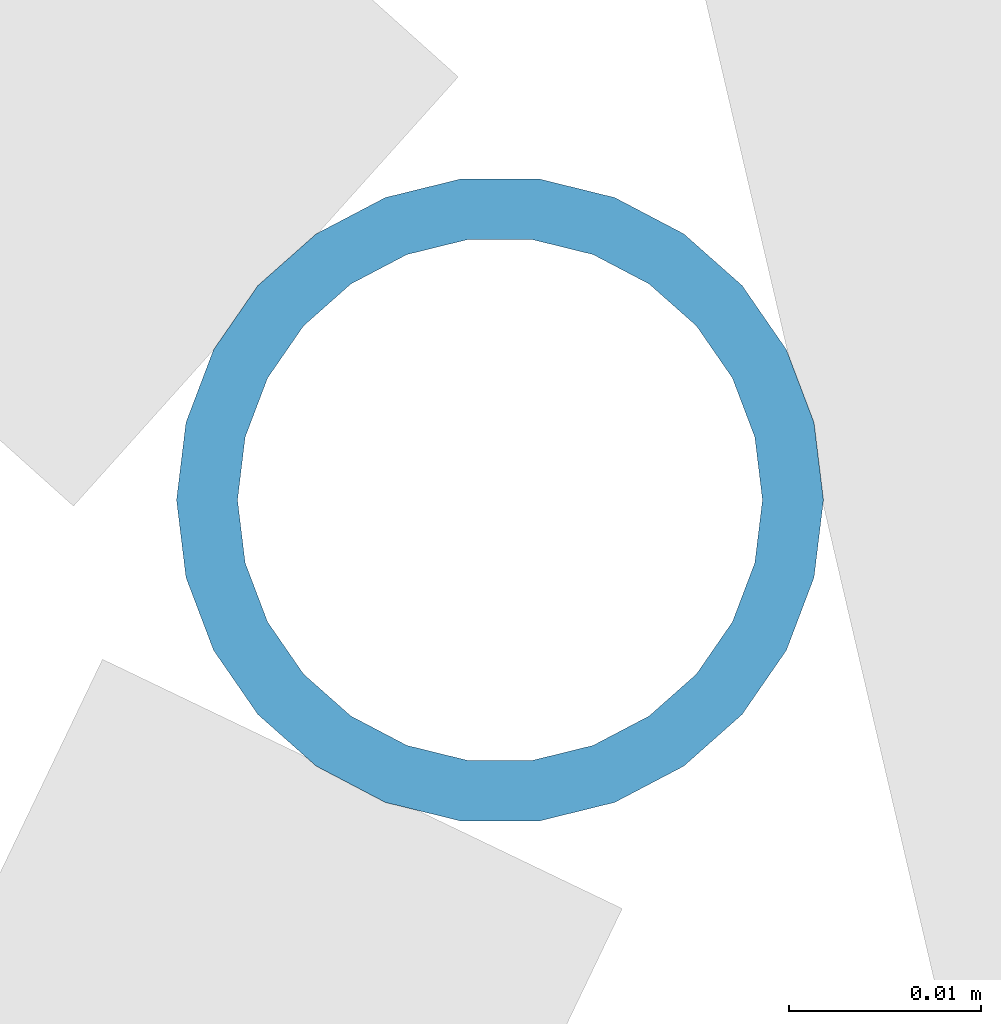
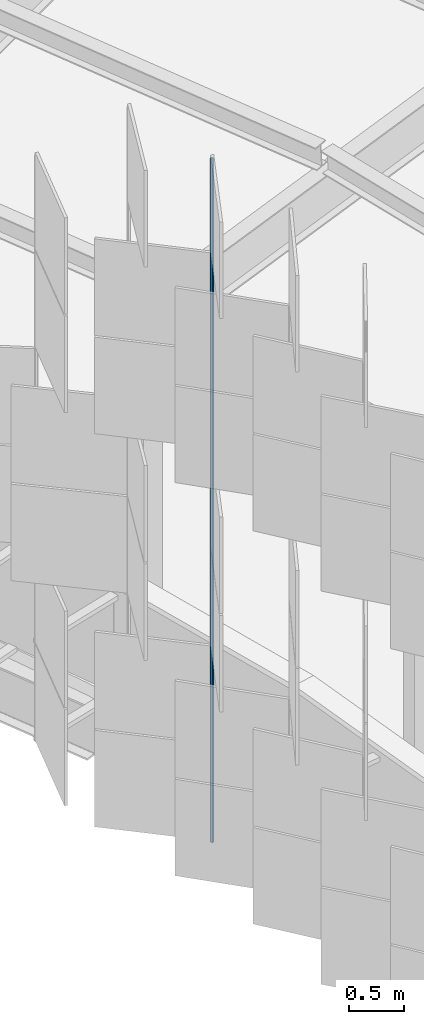
# One storey, part 205 of 483: 1 discrete accessory.
"""IFC4 building model written with IfcOpenShell, lengths in metres."""

from ifc_helpers import new_model, si_unit, direction, frame, origin, origin_2d, place, context, subcontext, project, spatial, hollow_circle, extrude, material, material_profile, profile_set, type_object, element, save


model = new_model("IFC4")

# Units and contexts
model_context = context("Model", 3, precision=1e-05, world=origin(), true_north=direction((0.0, 1.0)))
body_context = subcontext(model_context, "Body", "Model", "MODEL_VIEW")
ifc_project = project(units=[si_unit("LENGTHUNIT", "METRE"), si_unit("AREAUNIT", "SQUARE_METRE"), si_unit("VOLUMEUNIT", "CUBIC_METRE"), si_unit("PLANEANGLEUNIT", "RADIAN"), si_unit("MASSUNIT", "GRAM", prefix="KILO")], contexts=[model_context])

# Site, building, storey
site_placement = place(None, origin())
site = spatial("IfcSite", under=ifc_project, at=site_placement, CompositionType="ELEMENT")
building_placement = place(site_placement, origin())
building = spatial("IfcBuilding", under=site, at=building_placement, Name="Parallax Yard Mobility Hub", CompositionType="ELEMENT")
storey_placement = place(building_placement, frame((0.0, 0.0, 13.199951171875)))
storey = spatial("IfcBuildingStorey", under=building, at=storey_placement, Name="L04", CompositionType="ELEMENT", Elevation=13.199951171875)

# Discrete accessory
ifc_material = material(Name="Steel ASTM A500 Gr C, hot-dip galvanised", Category="steel")
ifc_material_profile = material_profile(ifc_material, hollow_circle(Radius=0.016845703125, WallThickness=0.003173828125, at=origin_2d()), Name="CHS 33.7x3.2")
ifc_profile_set = profile_set([ifc_material_profile], Name="Steel ASTM A500 Gr C, hot-dip galvanised")
discrete_accessory_type = type_object("IfcDiscreteAccessoryType", Name="Hinge post CHS 33.7x3.2", PredefinedType="BRACKET", material=ifc_profile_set)
discrete_accessory_placement = place(storey_placement, frame((193.525634765625, 94.455078125, 0.0), z_axis=(0.0, 0.0, 1.0), x_axis=(1.0, 0.0, 0.0)))
element("IfcDiscreteAccessory", 1, at=discrete_accessory_placement, inside=storey, type_object=discrete_accessory_type, Name="Hinge post bay 22.3 level L04", PredefinedType="BRACKET", context=body_context, shape_type="SweptSolid", body=[
    extrude(hollow_circle(Radius=0.016845703125, WallThickness=0.003173828125, at=origin_2d()), origin(), (0.0, 0.0, 1.0), 7.650146484375),
])

save(model, "model.ifc")
